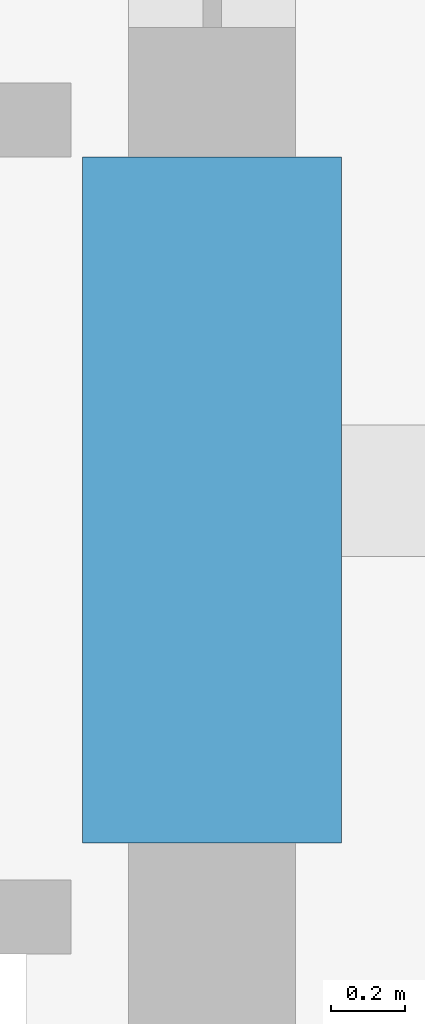
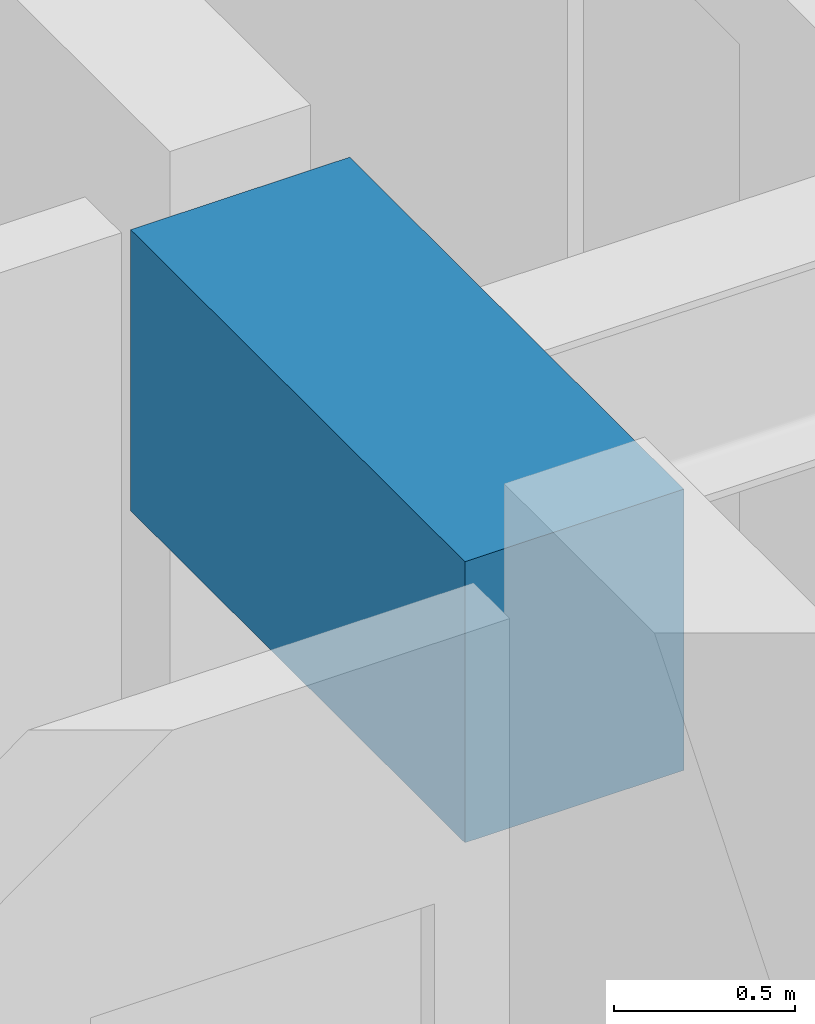
# One storey, part 10 of 36: 1 beam.
"""IFC4 building model written with IfcOpenShell, lengths in metres."""

from ifc_helpers import new_model, si_unit, direction, frame, origin, origin_2d, place, context, subcontext, project, spatial, rectangle, extrude, material, material_profile, profile_set, type_object, element, save


model = new_model("IFC4")

# Units and contexts
model_context = context("Model", 3, precision=1e-05, world=origin(), true_north=direction((0.0, 1.0)))
body_context = subcontext(model_context, "Body", "Model", "MODEL_VIEW")
ifc_project = project(units=[si_unit("LENGTHUNIT", "METRE"), si_unit("AREAUNIT", "SQUARE_METRE"), si_unit("VOLUMEUNIT", "CUBIC_METRE"), si_unit("PLANEANGLEUNIT", "RADIAN"), si_unit("MASSUNIT", "GRAM", prefix="KILO")], contexts=[model_context])

# Site, building, storey
site_placement = place(None, origin())
site = spatial("IfcSite", under=ifc_project, at=site_placement, CompositionType="ELEMENT")
building_placement = place(site_placement, origin())
building = spatial("IfcBuilding", under=site, at=building_placement, Name="Kolvaren Belvedere", CompositionType="ELEMENT")
storey_placement = place(building_placement, frame((0.0, 0.0, 226.199951171875)))
storey = spatial("IfcBuildingStorey", under=building, at=storey_placement, Name="L66", CompositionType="ELEMENT", Elevation=226.199951171875)

# Beam
ifc_material = material(Name="Concrete C60/75", Category="concrete")
ifc_material_profile = material_profile(ifc_material, rectangle(XDim=0.699951171875, YDim=0.949951171875, at=origin_2d()), Name="RC 700X950")
ifc_profile_set = profile_set([ifc_material_profile], Name="Concrete C60/75")
beam_type = type_object("IfcBeamType", Name="BM-LINT-950", PredefinedType="LINTEL", material=ifc_profile_set)
beam_placement = place(storey_placement, frame((9.89990234375, -5.550048828125, 2.60498046875), z_axis=(0.0, 1.0, 0.0), x_axis=(-1.0, 0.0, 0.0)))
element("IfcBeam", 1, at=beam_placement, inside=storey, type_object=beam_type, Name="L66 East Core Coupling Lintel", PredefinedType="LINTEL", context=body_context, shape_type="SweptSolid", body=[
    extrude(rectangle(XDim=0.699951171875, YDim=0.949951171875, at=origin_2d()), origin(), (0.0, 0.0, 1.0), 1.85009765625),
])

save(model, "model.ifc")
